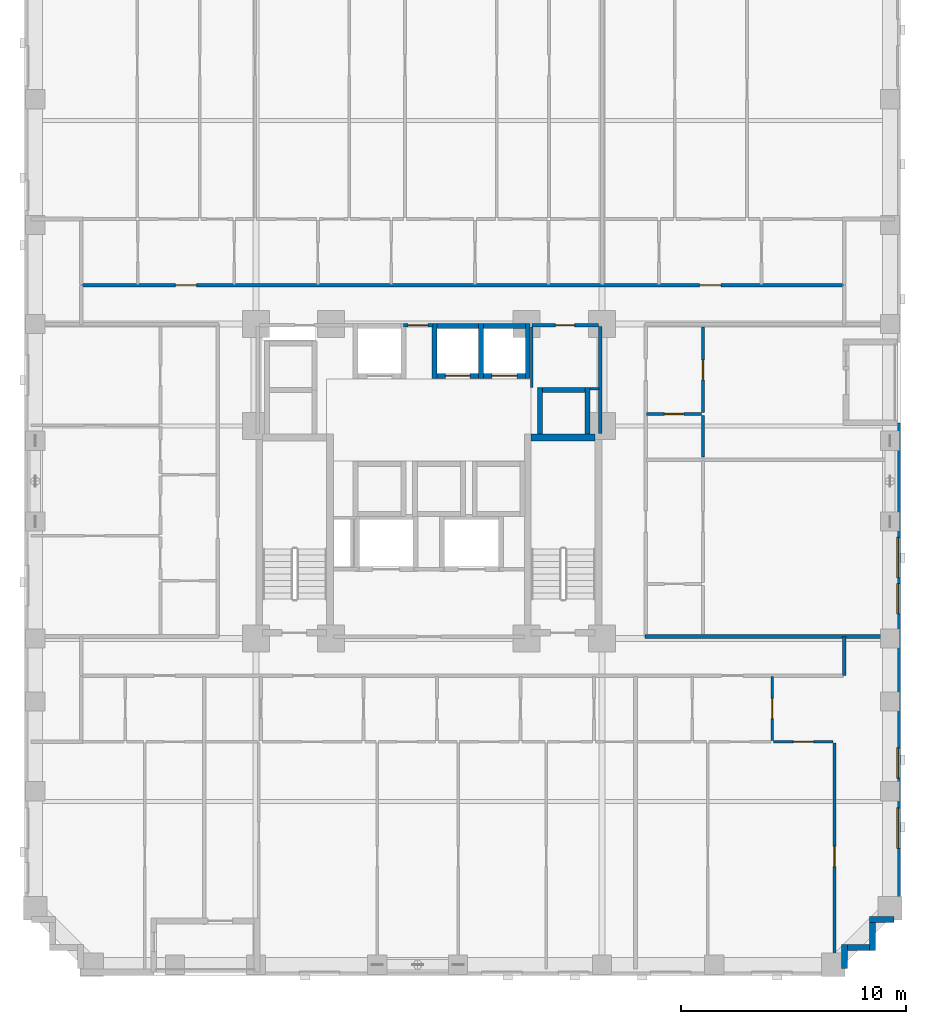
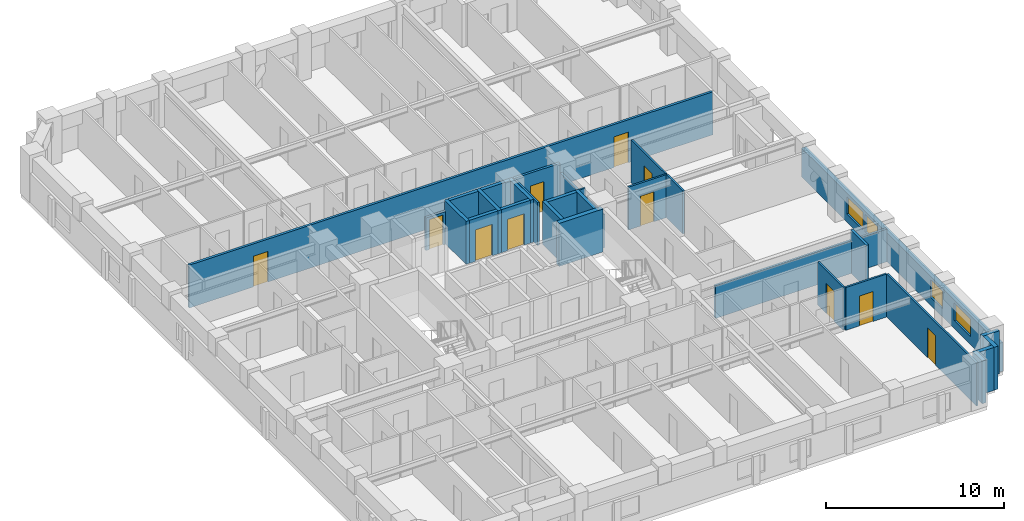
# One storey, part 6 of 14: 30 walls, 11 doors, 4 windows, 15 openings.
"""IFC4 building model written with IfcOpenShell, lengths in metres."""

from ifc_helpers import new_model, si_unit, derived_unit, direction, frame, frame_2d, origin, place, context, subcontext, project, spatial, rectangle, extrude, material, layer, layer_set, type_object, element, fill, save


model = new_model("IFC4")

# Units and contexts
model_context = context("Model", 3, precision=1e-05, world=origin(), true_north=direction((0.0, 1.0)))
body_context = subcontext(model_context, "Body", "Model", "MODEL_VIEW")
ifc_project = project(units=[si_unit("LENGTHUNIT", "METRE"), si_unit("AREAUNIT", "SQUARE_METRE"), si_unit("VOLUMEUNIT", "CUBIC_METRE"), si_unit("PLANEANGLEUNIT", "RADIAN"), si_unit("MASSUNIT", "GRAM", prefix="KILO"), derived_unit("THERMALTRANSMITTANCEUNIT", [(si_unit("MASSUNIT", "GRAM", prefix="KILO"), 1), (si_unit("TIMEUNIT", "SECOND"), -3), (si_unit("THERMODYNAMICTEMPERATUREUNIT", "KELVIN"), -1)])], contexts=[model_context])

# Site, building, storey
site_placement = place(None, origin())
site = spatial("IfcSite", under=ifc_project, at=site_placement, CompositionType="ELEMENT")
building_placement = place(site_placement, origin())
building = spatial("IfcBuilding", under=site, at=building_placement, Name="Korrvale Station Residences", CompositionType="ELEMENT")
storey_placement = place(building_placement, frame((0.0, 0.0, 48.199951171875)))
storey = spatial("IfcBuildingStorey", under=building, at=storey_placement, Name="L12", CompositionType="ELEMENT", Elevation=48.199951171875)

# Walls
ifc_material_1 = material(Name="Concrete C70/85", Category="concrete")
ifc_layer_1 = layer(ifc_material_1, 0.300048828125, Name="Concrete C70/85")
ifc_layer_set_1 = layer_set([ifc_layer_1], Name="Concrete C70/85")
wall_type_1 = type_object("IfcWallType", Name="WAL-CORE-300-C70", PredefinedType="SHEAR", material=ifc_layer_set_1)
wall_1_placement = place(storey_placement, frame((30.050048828125, 23.949951171875, 0.0), z_axis=(0.0, 0.0, 1.0), x_axis=(1.0, 0.0, 0.0)))
element("IfcWall", 1, at=wall_1_placement, inside=storey, type_object=wall_type_1, Name="L12 ST-2 Core Shear Wall North", PredefinedType="SHEAR", context=body_context, shape_type="SweptSolid", body=[
    extrude(rectangle(XDim=2.849853515625, YDim=0.300048828125, at=frame_2d((1.4248046875, 0.0))), origin(), (0.0, 0.0, 1.0), 2.93994140625),
])
ifc_material_2 = material(Name="Precast concrete C45/55", Category="concrete")
ifc_layer_2 = layer(ifc_material_2, 0.260009765625, Name="Precast concrete C45/55")
ifc_layer_set_2 = layer_set([ifc_layer_2], Name="Precast concrete C45/55")
wall_type_2 = type_object("IfcWallType", Name="WAL-EXT-LOG260", PredefinedType="SOLIDWALL", material=ifc_layer_set_2)
wall_2_placement = place(storey_placement, frame((46.197998046875, 2.5, 0.0), z_axis=(0.0, 0.0, 1.0), x_axis=(-1.0, 0.0, 0.0)))
element("IfcWall", 2, at=wall_2_placement, inside=storey, type_object=wall_type_2, Name="L12 Serrated Corner Precast Step SE-1", PredefinedType="SOLIDWALL", context=body_context, shape_type="SweptSolid", body=[
    extrude(rectangle(XDim=1.077880859375, YDim=0.260009765625, at=frame_2d((0.5390625, 0.0))), origin(), (0.0, 0.0, 1.0), 2.93994140625),
])
wall_3_placement = place(storey_placement, frame((45.25, 2.367919921875, 0.0), z_axis=(0.0, 0.0, 1.0), x_axis=(0.0, -1.0, 0.0)))
element("IfcWall", 3, at=wall_3_placement, inside=storey, type_object=wall_type_2, Name="L12 Serrated Corner Precast Step SE-2", PredefinedType="SOLIDWALL", context=body_context, shape_type="SweptSolid", body=[
    extrude(rectangle(XDim=1.247802734375, YDim=0.260009765625, at=frame_2d((0.6240234375, 0.0))), origin(), (0.0, 0.0, 1.0), 2.93994140625),
])
wall_4_placement = place(storey_placement, frame((45.117919921875, 1.25, 0.0), z_axis=(0.0, 0.0, 1.0), x_axis=(-1.0, 0.0, 0.0)))
element("IfcWall", 4, at=wall_4_placement, inside=storey, type_object=wall_type_2, Name="L12 Serrated Corner Precast Step SE-3", PredefinedType="SOLIDWALL", context=body_context, shape_type="SweptSolid", body=[
    extrude(rectangle(XDim=0.98583984375, YDim=0.260009765625, at=frame_2d((0.492919921875, 0.0))), origin(), (0.0, 0.0, 1.0), 2.93994140625),
])
wall_5_placement = place(storey_placement, frame((44.0, 1.3798828125, 0.0), z_axis=(0.0, 0.0, 1.0), x_axis=(0.0, -1.0, 0.0)))
element("IfcWall", 5, at=wall_5_placement, inside=storey, type_object=wall_type_2, Name="L12 Serrated Corner Precast Step SE-4", PredefinedType="SOLIDWALL", context=body_context, shape_type="SweptSolid", body=[
    extrude(rectangle(XDim=1.077880859375, YDim=0.260009765625, at=frame_2d((0.5390625, 0.0))), origin(), (0.0, 0.0, 1.0), 2.93994140625),
])

# Wall, openings, windows
ifc_layer_3 = layer(ifc_material_2, 0.300048828125, Name="Precast concrete C45/55")
ifc_layer_set_3 = layer_set([ifc_layer_3], Name="Precast concrete C45/55")
wall_type_3 = type_object("IfcWallType", Name="WAL-EXT-PC300", PredefinedType="SOLIDWALL", material=ifc_layer_set_3)
wall_6_placement = place(storey_placement, frame((46.35009765625, 24.60009765625, 0.0), z_axis=(0.0, 0.0, 1.0), x_axis=(0.0, -1.0, 0.0)))
wall_6 = element("IfcWall", 6, at=wall_6_placement, inside=storey, type_object=wall_type_3, Name="L12 East Exterior Precast Wall 2", PredefinedType="SOLIDWALL", context=body_context, shape_type="SweptSolid", body=[
    extrude(rectangle(XDim=22.10009765625, YDim=0.300048828125, at=frame_2d((11.050048828125, 0.0))), origin(), (0.0, 0.0, 1.0), 1.97509765625),
])
opening_1_placement = place(wall_6_placement, frame((17.14111328125, 0.0, 0.550048828125)))
opening_1 = element("IfcOpeningElement", 7, at=opening_1_placement, cuts=wall_6, Name="Opening W-09", PredefinedType="OPENING", context=body_context, shape_type="SweptSolid", body=[
    extrude(rectangle(XDim=1.800048828125, YDim=1.199951171875, at=frame_2d((0.89990234375, 0.60009765625))), frame((0.0, 0.16015625, 0.0), z_axis=(0.0, -1.0, 0.0), x_axis=(1.0, 0.0, 0.0)), (0.0, 0.0, 1.0), 0.320068359375),
])
opening_2_placement = place(wall_6_placement, frame((14.465087890625, 0.0, 0.550048828125)))
opening_2 = element("IfcOpeningElement", 8, at=opening_2_placement, cuts=wall_6, Name="Opening W-10", PredefinedType="OPENING", context=body_context, shape_type="SweptSolid", body=[
    extrude(rectangle(XDim=1.35009765625, YDim=1.199951171875, at=frame_2d((0.675048828125, 0.60009765625))), frame((0.0, 0.16015625, 0.0), z_axis=(0.0, -1.0, 0.0), x_axis=(1.0, 0.0, 0.0)), (0.0, 0.0, 1.0), 0.320068359375),
])
opening_3_placement = place(wall_6_placement, frame((5.10009765625, 0.0, 0.550048828125)))
opening_3 = element("IfcOpeningElement", 9, at=opening_3_placement, cuts=wall_6, Name="Opening W-09", PredefinedType="OPENING", context=body_context, shape_type="SweptSolid", body=[
    extrude(rectangle(XDim=1.800048828125, YDim=1.199951171875, at=frame_2d((0.89990234375, 0.60009765625))), frame((0.0, 0.16015625, 0.0), z_axis=(0.0, -1.0, 0.0), x_axis=(1.0, 0.0, 0.0)), (0.0, 0.0, 1.0), 0.320068359375),
])
opening_4_placement = place(wall_6_placement, frame((7.159912109375, 0.0, 0.550048828125)))
opening_4 = element("IfcOpeningElement", 10, at=opening_4_placement, cuts=wall_6, Name="Opening W-10", PredefinedType="OPENING", context=body_context, shape_type="SweptSolid", body=[
    extrude(rectangle(XDim=1.35009765625, YDim=1.199951171875, at=frame_2d((0.675048828125, 0.60009765625))), frame((0.0, 0.16015625, 0.0), z_axis=(0.0, -1.0, 0.0), x_axis=(1.0, 0.0, 0.0)), (0.0, 0.0, 1.0), 0.320068359375),
])
ifc_material_3 = material(Name="Thermally broken aluminium frame with triple low-e glazing", Category="aluminium")
window_type_1 = type_object("IfcWindowType", Name="WIN-W09", PartitioningType="DOUBLE_PANEL_VERTICAL", PredefinedType="WINDOW", material=ifc_material_3)
window_1_placement = place(opening_1_placement, origin())
window_1 = element("IfcWindow", 11, at=window_1_placement, inside=storey, type_object=window_type_1, Name="L12 Punched Window 09", OverallHeight=1.199951171875, OverallWidth=1.800048828125, PartitioningType="DOUBLE_PANEL_VERTICAL", PredefinedType="WINDOW", context=body_context, shape_type="SweptSolid", body=[
    extrude(rectangle(XDim=1.800048828125, YDim=1.199951171875, at=frame_2d((0.89990234375, 0.60009765625))), frame((0.0, 0.030029296875, 0.0), z_axis=(0.0, -1.0, 0.0), x_axis=(1.0, 0.0, 0.0)), (0.0, 0.0, 1.0), 0.06005859375),
])
fill(opening_1, window_1)
window_2_placement = place(opening_3_placement, origin())
window_2 = element("IfcWindow", 12, at=window_2_placement, inside=storey, type_object=window_type_1, Name="L12 Punched Window 23", OverallHeight=1.199951171875, OverallWidth=1.800048828125, PartitioningType="DOUBLE_PANEL_VERTICAL", PredefinedType="WINDOW", context=body_context, shape_type="SweptSolid", body=[
    extrude(rectangle(XDim=1.800048828125, YDim=1.199951171875, at=frame_2d((0.89990234375, 0.60009765625))), frame((0.0, 0.030029296875, 0.0), z_axis=(0.0, -1.0, 0.0), x_axis=(1.0, 0.0, 0.0)), (0.0, 0.0, 1.0), 0.06005859375),
])
fill(opening_3, window_2)
window_type_2 = type_object("IfcWindowType", Name="WIN-W10", PartitioningType="SINGLE_PANEL", PredefinedType="WINDOW", material=ifc_material_3)
window_3_placement = place(opening_2_placement, origin())
window_3 = element("IfcWindow", 13, at=window_3_placement, inside=storey, type_object=window_type_2, Name="L12 Punched Window 10", OverallHeight=1.199951171875, OverallWidth=1.35009765625, PartitioningType="SINGLE_PANEL", PredefinedType="WINDOW", context=body_context, shape_type="SweptSolid", body=[
    extrude(rectangle(XDim=1.35009765625, YDim=1.199951171875, at=frame_2d((0.675048828125, 0.60009765625))), frame((0.0, 0.030029296875, 0.0), z_axis=(0.0, -1.0, 0.0), x_axis=(1.0, 0.0, 0.0)), (0.0, 0.0, 1.0), 0.06005859375),
])
fill(opening_2, window_3)
window_4_placement = place(opening_4_placement, origin())
window_4 = element("IfcWindow", 14, at=window_4_placement, inside=storey, type_object=window_type_2, Name="L12 Punched Window 24", OverallHeight=1.199951171875, OverallWidth=1.35009765625, PartitioningType="SINGLE_PANEL", PredefinedType="WINDOW", context=body_context, shape_type="SweptSolid", body=[
    extrude(rectangle(XDim=1.35009765625, YDim=1.199951171875, at=frame_2d((0.675048828125, 0.60009765625))), frame((0.0, 0.030029296875, 0.0), z_axis=(0.0, -1.0, 0.0), x_axis=(1.0, 0.0, 0.0)), (0.0, 0.0, 1.0), 0.06005859375),
])
fill(opening_4, window_4)

# Walls
ifc_material_4 = material(Name="Acoustic steel-stud gypsum board partition", Category="steel")
ifc_layer_4 = layer(ifc_material_4, 0.1201171875, Name="Acoustic steel-stud gypsum board partition")
ifc_layer_set_4 = layer_set([ifc_layer_4], Name="Acoustic steel-stud gypsum board partition")
wall_type_4 = type_object("IfcWallType", Name="WAL-PART-125", PredefinedType="PARTITIONING", material=ifc_layer_set_4)
wall_7_placement = place(storey_placement, frame((30.080078125, 26.179931640625, 0.0), z_axis=(0.0, 0.0, 1.0), x_axis=(0.0, 1.0, 0.0)))
element("IfcWall", 15, at=wall_7_placement, inside=storey, type_object=wall_type_4, Name="L12 Core Partition CW-CS-W", PredefinedType="PARTITIONING", context=body_context, shape_type="SweptSolid", body=[
    extrude(rectangle(XDim=2.68017578125, YDim=0.1201171875, at=frame_2d((1.340087890625, 0.0))), origin(), (0.0, 0.0, 1.0), 2.93994140625),
])
wall_8_placement = place(storey_placement, frame((32.679931640625, 26.1201171875, 0.0), z_axis=(0.0, 0.0, 1.0), x_axis=(1.0, 0.0, 0.0)))
element("IfcWall", 16, at=wall_8_placement, inside=storey, type_object=wall_type_4, Name="L12 Core Partition CW-CS-S", PredefinedType="PARTITIONING", context=body_context, shape_type="SweptSolid", body=[
    extrude(rectangle(XDim=0.380126953125, YDim=0.1201171875, at=frame_2d((0.18994140625, 0.0))), origin(), (0.0, 0.0, 1.0), 2.93994140625),
])

# Wall, opening, door
wall_9_placement = place(storey_placement, frame((40.785888671875, 10.4599609375, 0.0), z_axis=(0.0, 0.0, 1.0), x_axis=(0.0, 1.0, 0.0)))
wall_9 = element("IfcWall", 17, at=wall_9_placement, inside=storey, type_object=wall_type_4, Name="L12 Suite Partition U03-V12", PredefinedType="PARTITIONING", context=body_context, shape_type="SweptSolid", body=[
    extrude(rectangle(XDim=2.85009765625, YDim=0.1201171875, at=frame_2d((1.425048828125, 0.0))), origin(), (0.0, 0.0, 1.0), 2.93994140625),
])
opening_5_placement = place(wall_9_placement, frame((0.97509765625, 0.0, 0.0)))
opening_5 = element("IfcOpeningElement", 18, at=opening_5_placement, cuts=wall_9, Name="Opening DI-900", PredefinedType="OPENING", context=body_context, shape_type="SweptSolid", body=[
    extrude(rectangle(XDim=0.89990234375, YDim=2.050048828125, at=frame_2d((0.449951171875, 1.02490234375))), frame((0.0, 0.070068359375, 0.0), z_axis=(0.0, -1.0, 0.0), x_axis=(1.0, 0.0, 0.0)), (0.0, 0.0, 1.0), 0.14013671875),
])
ifc_material_5 = material(Name="Painted solid-core timber interior room door", Category="wood")
door_type_1 = type_object("IfcDoorType", Name="DR-INT-900", OperationType="NOTDEFINED", PredefinedType="DOOR", material=ifc_material_5)
door_1_placement = place(opening_5_placement, origin())
door_1 = element("IfcDoor", 19, at=door_1_placement, inside=storey, type_object=door_type_1, Name="L12 Studio Apartment L12-U03 Kitchen Door", OperationType="SINGLE_SWING_LEFT", OverallHeight=2.050048828125, OverallWidth=0.89990234375, PredefinedType="DOOR", context=body_context, shape_type="SweptSolid", body=[
    extrude(rectangle(XDim=0.89990234375, YDim=2.050048828125, at=frame_2d((0.449951171875, 1.02490234375))), frame((0.0, 0.02490234375, 0.0), z_axis=(0.0, -1.0, 0.0), x_axis=(1.0, 0.0, 0.0)), (0.0, 0.0, 1.0), 0.050048828125),
])
fill(opening_5, door_1)

wall_10_placement = place(storey_placement, frame((40.845947265625, 10.39990234375, 0.0), z_axis=(0.0, 0.0, 1.0), x_axis=(1.0, 0.0, 0.0)))
wall_10 = element("IfcWall", 20, at=wall_10_placement, inside=storey, type_object=wall_type_4, Name="L12 Suite Partition U03-H24", PredefinedType="PARTITIONING", context=body_context, shape_type="SweptSolid", body=[
    extrude(rectangle(XDim=2.64404296875, YDim=0.1201171875, at=frame_2d((1.322021484375, 0.0))), origin(), (0.0, 0.0, 1.0), 2.93994140625),
])
opening_6_placement = place(wall_10_placement, frame((0.8720703125, 0.0, 0.0)))
opening_6 = element("IfcOpeningElement", 21, at=opening_6_placement, cuts=wall_10, Name="Opening DI-900", PredefinedType="OPENING", context=body_context, shape_type="SweptSolid", body=[
    extrude(rectangle(XDim=0.89990234375, YDim=2.050048828125, at=frame_2d((0.449951171875, 1.02490234375))), frame((0.0, 0.070068359375, 0.0), z_axis=(0.0, -1.0, 0.0), x_axis=(1.0, 0.0, 0.0)), (0.0, 0.0, 1.0), 0.14013671875),
])
door_2_placement = place(opening_6_placement, origin())
door_2 = element("IfcDoor", 22, at=door_2_placement, inside=storey, type_object=door_type_1, Name="L12 Studio Apartment L12-U03 Utility and Laundry Room Door", OperationType="SINGLE_SWING_LEFT", OverallHeight=2.050048828125, OverallWidth=0.89990234375, PredefinedType="DOOR", context=body_context, shape_type="SweptSolid", body=[
    extrude(rectangle(XDim=0.89990234375, YDim=2.050048828125, at=frame_2d((0.449951171875, 1.02490234375))), frame((0.0, 0.02490234375, 0.0), z_axis=(0.0, -1.0, 0.0), x_axis=(1.0, 0.0, 0.0)), (0.0, 0.0, 1.0), 0.050048828125),
])
fill(opening_6, door_2)

wall_11_placement = place(storey_placement, frame((43.550048828125, 0.280029296875, 0.0), z_axis=(0.0, 0.0, 1.0), x_axis=(0.0, 1.0, 0.0)))
wall_11 = element("IfcWall", 23, at=wall_11_placement, inside=storey, type_object=wall_type_4, Name="L12 Suite Partition U03-V45", PredefinedType="PARTITIONING", context=body_context, shape_type="SweptSolid", body=[
    extrude(rectangle(XDim=10.06005859375, YDim=0.1201171875, at=frame_2d((5.030029296875, 0.0))), origin(), (0.0, 0.0, 1.0), 2.93994140625),
])
opening_7_placement = place(wall_11_placement, frame((4.56494140625, 0.0, 0.0)))
opening_7 = element("IfcOpeningElement", 24, at=opening_7_placement, cuts=wall_11, Name="Opening DI-900", PredefinedType="OPENING", context=body_context, shape_type="SweptSolid", body=[
    extrude(rectangle(XDim=0.89990234375, YDim=2.050048828125, at=frame_2d((0.449951171875, 1.02490234375))), frame((0.0, 0.070068359375, 0.0), z_axis=(0.0, -1.0, 0.0), x_axis=(1.0, 0.0, 0.0)), (0.0, 0.0, 1.0), 0.14013671875),
])
door_3_placement = place(opening_7_placement, origin())
door_3 = element("IfcDoor", 25, at=door_3_placement, inside=storey, type_object=door_type_1, Name="L12 Studio Apartment L12-U03 Studio Living Room Door", OperationType="SINGLE_SWING_LEFT", OverallHeight=2.050048828125, OverallWidth=0.89990234375, PredefinedType="DOOR", context=body_context, shape_type="SweptSolid", body=[
    extrude(rectangle(XDim=0.89990234375, YDim=2.050048828125, at=frame_2d((0.449951171875, 1.02490234375))), frame((0.0, 0.02490234375, 0.0), z_axis=(0.0, -1.0, 0.0), x_axis=(1.0, 0.0, 0.0)), (0.0, 0.0, 1.0), 0.050048828125),
])
fill(opening_7, door_3)

wall_12_placement = place(storey_placement, frame((35.18994140625, 24.991943359375, 0.0), z_axis=(0.0, 0.0, 1.0), x_axis=(1.0, 0.0, 0.0)))
wall_12 = element("IfcWall", 26, at=wall_12_placement, inside=storey, type_object=wall_type_4, Name="L12 Suite Partition U08-H01", PredefinedType="PARTITIONING", context=body_context, shape_type="SweptSolid", body=[
    extrude(rectangle(XDim=2.449951171875, YDim=0.1201171875, at=frame_2d((1.22509765625, 0.0))), origin(), (0.0, 0.0, 1.0), 2.93994140625),
])
opening_8_placement = place(wall_12_placement, frame((0.794921875, 0.0, 0.0)))
opening_8 = element("IfcOpeningElement", 27, at=opening_8_placement, cuts=wall_12, Name="Opening DB-860", PredefinedType="OPENING", context=body_context, shape_type="SweptSolid", body=[
    extrude(rectangle(XDim=0.860107421875, YDim=2.050048828125, at=frame_2d((0.43017578125, 1.02490234375))), frame((0.0, 0.070068359375, 0.0), z_axis=(0.0, -1.0, 0.0), x_axis=(1.0, 0.0, 0.0)), (0.0, 0.0, 1.0), 0.14013671875),
])
ifc_material_6 = material(Name="Moisture-resistant solid-core bathroom door", Category="timber")
door_type_2 = type_object("IfcDoorType", Name="DR-BATH-860", OperationType="NOTDEFINED", PredefinedType="DOOR", material=ifc_material_6)
door_4_placement = place(opening_8_placement, origin())
door_4 = element("IfcDoor", 28, at=door_4_placement, inside=storey, type_object=door_type_2, Name="L12 Studio Apartment L12-U08 Bathroom Door", OperationType="SINGLE_SWING_LEFT", OverallHeight=2.050048828125, OverallWidth=0.860107421875, PredefinedType="DOOR", context=body_context, shape_type="SweptSolid", body=[
    extrude(rectangle(XDim=0.860107421875, YDim=2.050048828125, at=frame_2d((0.43017578125, 1.02490234375))), frame((0.0, 0.02490234375, 0.0), z_axis=(0.0, -1.0, 0.0), x_axis=(1.0, 0.0, 0.0)), (0.0, 0.0, 1.0), 0.050048828125),
])
fill(opening_8, door_4)

# Wall
wall_13_placement = place(storey_placement, frame((37.699951171875, 23.08203125, 0.0), z_axis=(0.0, 0.0, 1.0), x_axis=(0.0, 1.0, 0.0)))
element("IfcWall", 29, at=wall_13_placement, inside=storey, type_object=wall_type_4, Name="L12 Suite Partition U08-V02", PredefinedType="PARTITIONING", context=body_context, shape_type="SweptSolid", body=[
    extrude(rectangle(XDim=1.849853515625, YDim=0.1201171875, at=frame_2d((0.9248046875, 0.0))), origin(), (0.0, 0.0, 1.0), 2.93994140625),
])

# Wall, opening, door
wall_14_placement = place(storey_placement, frame((37.699951171875, 25.052001953125, 0.0), z_axis=(0.0, 0.0, 1.0), x_axis=(0.0, 1.0, 0.0)))
wall_14 = element("IfcWall", 30, at=wall_14_placement, inside=storey, type_object=wall_type_4, Name="L12 Suite Partition U08-V12", PredefinedType="PARTITIONING", context=body_context, shape_type="SweptSolid", body=[
    extrude(rectangle(XDim=3.80810546875, YDim=0.1201171875, at=frame_2d((1.904052734375, 0.0))), origin(), (0.0, 0.0, 1.0), 2.93994140625),
])
opening_9_placement = place(wall_14_placement, frame((1.4541015625, 0.0, 0.0)))
opening_9 = element("IfcOpeningElement", 31, at=opening_9_placement, cuts=wall_14, Name="Opening DI-900", PredefinedType="OPENING", context=body_context, shape_type="SweptSolid", body=[
    extrude(rectangle(XDim=0.89990234375, YDim=2.050048828125, at=frame_2d((0.449951171875, 1.02490234375))), frame((0.0, 0.070068359375, 0.0), z_axis=(0.0, -1.0, 0.0), x_axis=(1.0, 0.0, 0.0)), (0.0, 0.0, 1.0), 0.14013671875),
])
door_5_placement = place(opening_9_placement, origin())
door_5 = element("IfcDoor", 32, at=door_5_placement, inside=storey, type_object=door_type_1, Name="L12 Studio Apartment L12-U08 Kitchen Door", OperationType="SINGLE_SWING_RIGHT", OverallHeight=2.050048828125, OverallWidth=0.89990234375, PredefinedType="DOOR", context=body_context, shape_type="SweptSolid", body=[
    extrude(rectangle(XDim=0.89990234375, YDim=2.050048828125, at=frame_2d((0.449951171875, 1.02490234375))), frame((0.0, 0.02490234375, 0.0), z_axis=(0.0, -1.0, 0.0), x_axis=(1.0, 0.0, 0.0)), (0.0, 0.0, 1.0), 0.050048828125),
])
fill(opening_9, door_5)

# Wall
ifc_material_7 = material(Name="Fire-rated twin-stud gypsum and mineral wool shaftwall assembly", Category="gypsum")
ifc_layer_5 = layer(ifc_material_7, 0.159912109375, Name="Fire-rated twin-stud gypsum and mineral wool shaftwall assembly")
ifc_layer_set_5 = layer_set([ifc_layer_5], Name="Fire-rated twin-stud gypsum and mineral wool shaftwall assembly")
wall_type_5 = type_object("IfcWallType", Name="WAL-PART-200", PredefinedType="PARTITIONING", material=ifc_layer_set_5)
wall_15_placement = place(storey_placement, frame((33.1201171875, 24.1201171875, 0.0), z_axis=(0.0, 0.0, 1.0), x_axis=(0.0, 1.0, 0.0)))
element("IfcWall", 33, at=wall_15_placement, inside=storey, type_object=wall_type_5, Name="L12 Core Partition CW-E-N", PredefinedType="PARTITIONING", context=body_context, shape_type="SweptSolid", body=[
    extrude(rectangle(XDim=4.759765625, YDim=0.159912109375, at=frame_2d((2.3798828125, 0.0))), origin(), (0.0, 0.0, 1.0), 2.275146484375),
])

# Wall, opening, door
wall_16_placement = place(storey_placement, frame((24.360107421875, 28.949951171875, 0.0), z_axis=(0.0, 0.0, 1.0), x_axis=(1.0, 0.0, 0.0)))
wall_16 = element("IfcWall", 34, at=wall_16_placement, inside=storey, type_object=wall_type_5, Name="L12 Core Partition CW-LLOB-N", PredefinedType="PARTITIONING", context=body_context, shape_type="SweptSolid", body=[
    extrude(rectangle(XDim=1.31982421875, YDim=0.159912109375, at=frame_2d((0.659912109375, 0.0))), origin(), (0.0, 0.0, 1.0), 2.23193359375),
])
opening_10_placement = place(wall_16_placement, frame((0.2099609375, 0.0, 0.0)))
opening_10 = element("IfcOpeningElement", 35, at=opening_10_placement, cuts=wall_16, Name="Opening DI-900", PredefinedType="OPENING", context=body_context, shape_type="SweptSolid", body=[
    extrude(rectangle(XDim=0.89990234375, YDim=2.050048828125, at=frame_2d((0.449951171875, 1.02490234375))), frame((0.0, 0.08984375, 0.0), z_axis=(0.0, -1.0, 0.0), x_axis=(1.0, 0.0, 0.0)), (0.0, 0.0, 1.0), 0.179931640625),
])
door_6_placement = place(opening_10_placement, origin())
door_6 = element("IfcDoor", 36, at=door_6_placement, inside=storey, type_object=door_type_1, Name="L12 Central Hallway North Passage Door", OperationType="SINGLE_SWING_RIGHT", OverallHeight=2.050048828125, OverallWidth=0.89990234375, PredefinedType="DOOR", context=body_context, shape_type="SweptSolid", body=[
    extrude(rectangle(XDim=0.89990234375, YDim=2.050048828125, at=frame_2d((0.449951171875, 1.02490234375))), frame((0.0, 0.02490234375, 0.0), z_axis=(0.0, -1.0, 0.0), x_axis=(1.0, 0.0, 0.0)), (0.0, 0.0, 1.0), 0.050048828125),
])
fill(opening_10, door_6)

wall_17_placement = place(storey_placement, frame((30.080078125, 28.949951171875, 0.0), z_axis=(0.0, 0.0, 1.0), x_axis=(1.0, 0.0, 0.0)))
wall_17 = element("IfcWall", 37, at=wall_17_placement, inside=storey, type_object=wall_type_5, Name="L12 Core Partition CW-CS-N", PredefinedType="PARTITIONING", context=body_context, shape_type="SweptSolid", body=[
    extrude(rectangle(XDim=2.9599609375, YDim=0.159912109375, at=frame_2d((1.47998046875, 0.0))), origin(), (0.0, 0.0, 1.0), 2.93994140625),
])
opening_11_placement = place(wall_17_placement, frame((1.044921875, 0.0, 0.0)))
opening_11 = element("IfcOpeningElement", 38, at=opening_11_placement, cuts=wall_17, Name="Opening DB-860", PredefinedType="OPENING", context=body_context, shape_type="SweptSolid", body=[
    extrude(rectangle(XDim=0.860107421875, YDim=2.050048828125, at=frame_2d((0.43017578125, 1.02490234375))), frame((0.0, 0.08984375, 0.0), z_axis=(0.0, -1.0, 0.0), x_axis=(1.0, 0.0, 0.0)), (0.0, 0.0, 1.0), 0.179931640625),
])
door_7_placement = place(opening_11_placement, origin())
door_7 = element("IfcDoor", 39, at=door_7_placement, inside=storey, type_object=door_type_2, Name="L12 Parcel Room Door", OperationType="SINGLE_SWING_RIGHT", OverallHeight=2.050048828125, OverallWidth=0.860107421875, PredefinedType="DOOR", context=body_context, shape_type="SweptSolid", body=[
    extrude(rectangle(XDim=0.860107421875, YDim=2.050048828125, at=frame_2d((0.43017578125, 1.02490234375))), frame((0.0, 0.02490234375, 0.0), z_axis=(0.0, -1.0, 0.0), x_axis=(1.0, 0.0, 0.0)), (0.0, 0.0, 1.0), 0.050048828125),
])
fill(opening_11, door_7)

# Walls
wall_18_placement = place(storey_placement, frame((43.97998046875, 13.35009765625, 0.0), z_axis=(0.0, 0.0, 1.0), x_axis=(0.0, 1.0, 0.0)))
element("IfcWall", 40, at=wall_18_placement, inside=storey, type_object=wall_type_5, Name="L12 Corridor South East Cap", PredefinedType="PARTITIONING", context=body_context, shape_type="SweptSolid", body=[
    extrude(rectangle(XDim=1.739990234375, YDim=0.159912109375, at=frame_2d((0.8701171875, 0.0))), origin(), (0.0, 0.0, 1.0), 2.93994140625),
])
wall_19_placement = place(storey_placement, frame((35.110107421875, 15.090087890625, 0.0), z_axis=(0.0, 0.0, 1.0), x_axis=(1.0, 0.0, 0.0)))
element("IfcWall", 41, at=wall_19_placement, inside=storey, type_object=wall_type_5, Name="L12 East Wing South Corridor Wall", PredefinedType="PARTITIONING", context=body_context, shape_type="SweptSolid", body=[
    extrude(rectangle(XDim=11.10986328125, YDim=0.159912109375, at=frame_2d((5.554931640625, 0.0))), origin(), (0.0, 0.0, 1.0), 2.23193359375),
])

# Wall, openings, doors
wall_20_placement = place(storey_placement, frame((10.050048828125, 30.719970703125, 0.0), z_axis=(0.0, 0.0, 1.0), x_axis=(1.0, 0.0, 0.0)))
wall_20 = element("IfcWall", 42, at=wall_20_placement, inside=storey, type_object=wall_type_5, Name="L12 Rated Corridor Wall N", PredefinedType="PARTITIONING", context=body_context, shape_type="SweptSolid", body=[
    extrude(rectangle(XDim=33.89990234375, YDim=0.159912109375, at=frame_2d((16.949951171875, 0.0))), origin(), (0.0, 0.0, 1.0), 2.93994140625),
])
opening_12_placement = place(wall_20_placement, frame((4.1650390625, 0.0, 0.0)))
opening_12 = element("IfcOpeningElement", 43, at=opening_12_placement, cuts=wall_20, Name="Opening UD-950", PredefinedType="OPENING", context=body_context, shape_type="SweptSolid", body=[
    extrude(rectangle(XDim=0.949951171875, YDim=2.10009765625, at=frame_2d((0.47509765625, 1.050048828125))), frame((0.0, 0.08984375, 0.0), z_axis=(0.0, -1.0, 0.0), x_axis=(1.0, 0.0, 0.0)), (0.0, 0.0, 1.0), 0.179931640625),
])
opening_13_placement = place(wall_20_placement, frame((27.4951171875, 0.0, 0.0)))
opening_13 = element("IfcOpeningElement", 44, at=opening_13_placement, cuts=wall_20, Name="Opening UD-950", PredefinedType="OPENING", context=body_context, shape_type="SweptSolid", body=[
    extrude(rectangle(XDim=0.949951171875, YDim=2.10009765625, at=frame_2d((0.47509765625, 1.050048828125))), frame((0.0, 0.08984375, 0.0), z_axis=(0.0, -1.0, 0.0), x_axis=(1.0, 0.0, 0.0)), (0.0, 0.0, 1.0), 0.179931640625),
])
ifc_material_8 = material(Name="Solid-core acoustic oak apartment entrance door", Category="timber")
door_type_3 = type_object("IfcDoorType", Name="DR-UNIT-950", OperationType="NOTDEFINED", PredefinedType="DOOR", material=ifc_material_8)
door_8_placement = place(opening_12_placement, origin())
door_8 = element("IfcDoor", 45, at=door_8_placement, inside=storey, type_object=door_type_3, Name="L12 Apartment L12-U04 Entrance Door", OperationType="SINGLE_SWING_RIGHT", OverallHeight=2.10009765625, OverallWidth=0.949951171875, PredefinedType="DOOR", context=body_context, shape_type="SweptSolid", body=[
    extrude(rectangle(XDim=0.949951171875, YDim=2.10009765625, at=frame_2d((0.47509765625, 1.050048828125))), frame((0.0, 0.02490234375, 0.0), z_axis=(0.0, -1.0, 0.0), x_axis=(1.0, 0.0, 0.0)), (0.0, 0.0, 1.0), 0.050048828125),
])
fill(opening_12, door_8)
door_9_placement = place(opening_13_placement, origin())
door_9 = element("IfcDoor", 46, at=door_9_placement, inside=storey, type_object=door_type_3, Name="L12 Apartment L12-U05 Entrance Door", OperationType="SINGLE_SWING_LEFT", OverallHeight=2.10009765625, OverallWidth=0.949951171875, PredefinedType="DOOR", context=body_context, shape_type="SweptSolid", body=[
    extrude(rectangle(XDim=0.949951171875, YDim=2.10009765625, at=frame_2d((0.47509765625, 1.050048828125))), frame((0.0, 0.02490234375, 0.0), z_axis=(0.0, -1.0, 0.0), x_axis=(1.0, 0.0, 0.0)), (0.0, 0.0, 1.0), 0.050048828125),
])
fill(opening_13, door_9)

# Wall, opening, door
ifc_layer_6 = layer(ifc_material_1, 0.219970703125, Name="Concrete C70/85")
ifc_layer_set_6 = layer_set([ifc_layer_6], Name="Concrete C70/85")
wall_type_6 = type_object("IfcWallType", Name="WAL-SHAFT-220-C70", PredefinedType="SHEAR", material=ifc_layer_set_6)
wall_21_placement = place(storey_placement, frame((25.85009765625, 26.68994140625, 0.0), z_axis=(0.0, 0.0, 1.0), x_axis=(1.0, 0.0, 0.0)))
wall_21 = element("IfcWall", 47, at=wall_21_placement, inside=storey, type_object=wall_type_6, Name="L12 Elevator PL-2 Hoistway Wall South", PredefinedType="SHEAR", context=body_context, shape_type="SweptSolid", body=[
    extrude(rectangle(XDim=1.85986328125, YDim=0.219970703125, at=frame_2d((0.929931640625, 0.0))), origin(), (0.0, 0.0, 1.0), 2.93994140625),
])
opening_14_placement = place(wall_21_placement, frame((0.3798828125, 0.0, 0.0)))
opening_14 = element("IfcOpeningElement", 48, at=opening_14_placement, cuts=wall_21, Name="Opening LD-1100", PredefinedType="OPENING", context=body_context, shape_type="SweptSolid", body=[
    extrude(rectangle(XDim=1.10009765625, YDim=2.14990234375, at=frame_2d((0.550048828125, 1.074951171875))), frame((0.0, 0.1201171875, 0.0), z_axis=(0.0, -1.0, 0.0), x_axis=(1.0, 0.0, 0.0)), (0.0, 0.0, 1.0), 0.239990234375),
])
ifc_material_9 = material(Name="Brushed stainless-steel elevator landing sliding door", Category="steel")
door_type_4 = type_object("IfcDoorType", Name="DR-LIFT-1100", OperationType="SLIDING_TO_LEFT", PredefinedType="DOOR", material=ifc_material_9)
door_10_placement = place(opening_14_placement, origin())
door_10 = element("IfcDoor", 49, at=door_10_placement, inside=storey, type_object=door_type_4, Name="L12 Elevator PL-2 Sliding Landing Door", OperationType="SLIDING_TO_LEFT", OverallHeight=2.14990234375, OverallWidth=1.10009765625, PredefinedType="DOOR", context=body_context, shape_type="SweptSolid", body=[
    extrude(rectangle(XDim=1.10009765625, YDim=2.14990234375, at=frame_2d((0.550048828125, 1.074951171875))), frame((0.0, 0.02490234375, 0.0), z_axis=(0.0, -1.0, 0.0), x_axis=(1.0, 0.0, 0.0)), (0.0, 0.0, 1.0), 0.050048828125),
])
fill(opening_14, door_10)

# Walls
wall_22_placement = place(storey_placement, frame((25.85009765625, 28.909912109375, 0.0), z_axis=(0.0, 0.0, 1.0), x_axis=(1.0, 0.0, 0.0)))
element("IfcWall", 50, at=wall_22_placement, inside=storey, type_object=wall_type_6, Name="L12 Elevator PL-2 Hoistway Wall North", PredefinedType="SHEAR", context=body_context, shape_type="SweptSolid", body=[
    extrude(rectangle(XDim=1.85986328125, YDim=0.219970703125, at=frame_2d((0.929931640625, 0.0))), origin(), (0.0, 0.0, 1.0), 2.93994140625),
])
for number, where, z_axis, x_axis, name in (
    (51, (25.739990234375, 26.580078125, 0.0), (0.0, 0.0, 1.0), (0.0, 1.0, 0.0), "L12 Elevator PL-2 Hoistway Wall West"),
    (52, (27.820068359375, 26.580078125, 0.0), (0.0, 0.0, 1.0), (0.0, 1.0, 0.0), "L12 Elevator PL-2 Hoistway Wall East"),
):
    element("IfcWall", number, at=place(storey_placement, frame(where, z_axis=z_axis, x_axis=x_axis)), inside=storey, type_object=wall_type_6, Name=name, PredefinedType="SHEAR", context=body_context, shape_type="SweptSolid", body=[
        extrude(rectangle(XDim=2.43994140625, YDim=0.219970703125, at=frame_2d((1.219970703125, 0.0))), origin(), (0.0, 0.0, 1.0), 2.93994140625),
    ])

# Wall, opening, door
wall_23_placement = place(storey_placement, frame((27.929931640625, 26.68994140625, 0.0), z_axis=(0.0, 0.0, 1.0), x_axis=(1.0, 0.0, 0.0)))
wall_23 = element("IfcWall", 53, at=wall_23_placement, inside=storey, type_object=wall_type_6, Name="L12 Elevator PL-3 Hoistway Wall South", PredefinedType="SHEAR", context=body_context, shape_type="SweptSolid", body=[
    extrude(rectangle(XDim=1.860107421875, YDim=0.219970703125, at=frame_2d((0.93017578125, 0.0))), origin(), (0.0, 0.0, 1.0), 2.93994140625),
])
opening_15_placement = place(wall_23_placement, frame((0.3798828125, 0.0, 0.0)))
opening_15 = element("IfcOpeningElement", 54, at=opening_15_placement, cuts=wall_23, Name="Opening LD-1100", PredefinedType="OPENING", context=body_context, shape_type="SweptSolid", body=[
    extrude(rectangle(XDim=1.10009765625, YDim=2.14990234375, at=frame_2d((0.550048828125, 1.074951171875))), frame((0.0, 0.1201171875, 0.0), z_axis=(0.0, -1.0, 0.0), x_axis=(1.0, 0.0, 0.0)), (0.0, 0.0, 1.0), 0.239990234375),
])
door_11_placement = place(opening_15_placement, origin())
door_11 = element("IfcDoor", 55, at=door_11_placement, inside=storey, type_object=door_type_4, Name="L12 Elevator PL-3 Sliding Landing Door", OperationType="SLIDING_TO_LEFT", OverallHeight=2.14990234375, OverallWidth=1.10009765625, PredefinedType="DOOR", context=body_context, shape_type="SweptSolid", body=[
    extrude(rectangle(XDim=1.10009765625, YDim=2.14990234375, at=frame_2d((0.550048828125, 1.074951171875))), frame((0.0, 0.02490234375, 0.0), z_axis=(0.0, -1.0, 0.0), x_axis=(1.0, 0.0, 0.0)), (0.0, 0.0, 1.0), 0.050048828125),
])
fill(opening_15, door_11)

# Walls
wall_24_placement = place(storey_placement, frame((27.929931640625, 28.909912109375, 0.0), z_axis=(0.0, 0.0, 1.0), x_axis=(1.0, 0.0, 0.0)))
element("IfcWall", 56, at=wall_24_placement, inside=storey, type_object=wall_type_6, Name="L12 Elevator PL-3 Hoistway Wall North", PredefinedType="SHEAR", context=body_context, shape_type="SweptSolid", body=[
    extrude(rectangle(XDim=1.860107421875, YDim=0.219970703125, at=frame_2d((0.93017578125, 0.0))), origin(), (0.0, 0.0, 1.0), 2.93994140625),
])
wall_25_placement = place(storey_placement, frame((29.89990234375, 26.580078125, 0.0), z_axis=(0.0, 0.0, 1.0), x_axis=(0.0, 1.0, 0.0)))
element("IfcWall", 57, at=wall_25_placement, inside=storey, type_object=wall_type_6, Name="L12 Elevator PL-3 Hoistway Wall East", PredefinedType="SHEAR", context=body_context, shape_type="SweptSolid", body=[
    extrude(rectangle(XDim=2.43994140625, YDim=0.219970703125, at=frame_2d((1.219970703125, 0.0))), origin(), (0.0, 0.0, 1.0), 2.93994140625),
])
wall_26_placement = place(storey_placement, frame((30.550048828125, 26.06005859375, 0.0), z_axis=(0.0, 0.0, 1.0), x_axis=(1.0, 0.0, 0.0)))
element("IfcWall", 58, at=wall_26_placement, inside=storey, type_object=wall_type_6, Name="L12 Elevator PH-3 Hoistway Wall North", PredefinedType="SHEAR", context=body_context, shape_type="SweptSolid", body=[
    extrude(rectangle(XDim=1.89990234375, YDim=0.219970703125, at=frame_2d((0.949951171875, 0.0))), origin(), (0.0, 0.0, 1.0), 2.93994140625),
])
for number, where, z_axis, x_axis, name in (
    (59, (30.43994140625, 24.10009765625, 0.0), (0.0, 0.0, 1.0), (0.0, 1.0, 0.0), "L12 Elevator PH-3 Hoistway Wall West"),
    (60, (32.56005859375, 24.10009765625, 0.0), (0.0, 0.0, 1.0), (0.0, 1.0, 0.0), "L12 Elevator PH-3 Hoistway Wall East"),
):
    element("IfcWall", number, at=place(storey_placement, frame(where, z_axis=z_axis, x_axis=x_axis)), inside=storey, type_object=wall_type_6, Name=name, PredefinedType="SHEAR", context=body_context, shape_type="SweptSolid", body=[
        extrude(rectangle(XDim=2.06982421875, YDim=0.219970703125, at=frame_2d((1.034912109375, 0.0))), origin(), (0.0, 0.0, 1.0), 2.93994140625),
    ])

save(model, "model.ifc")
